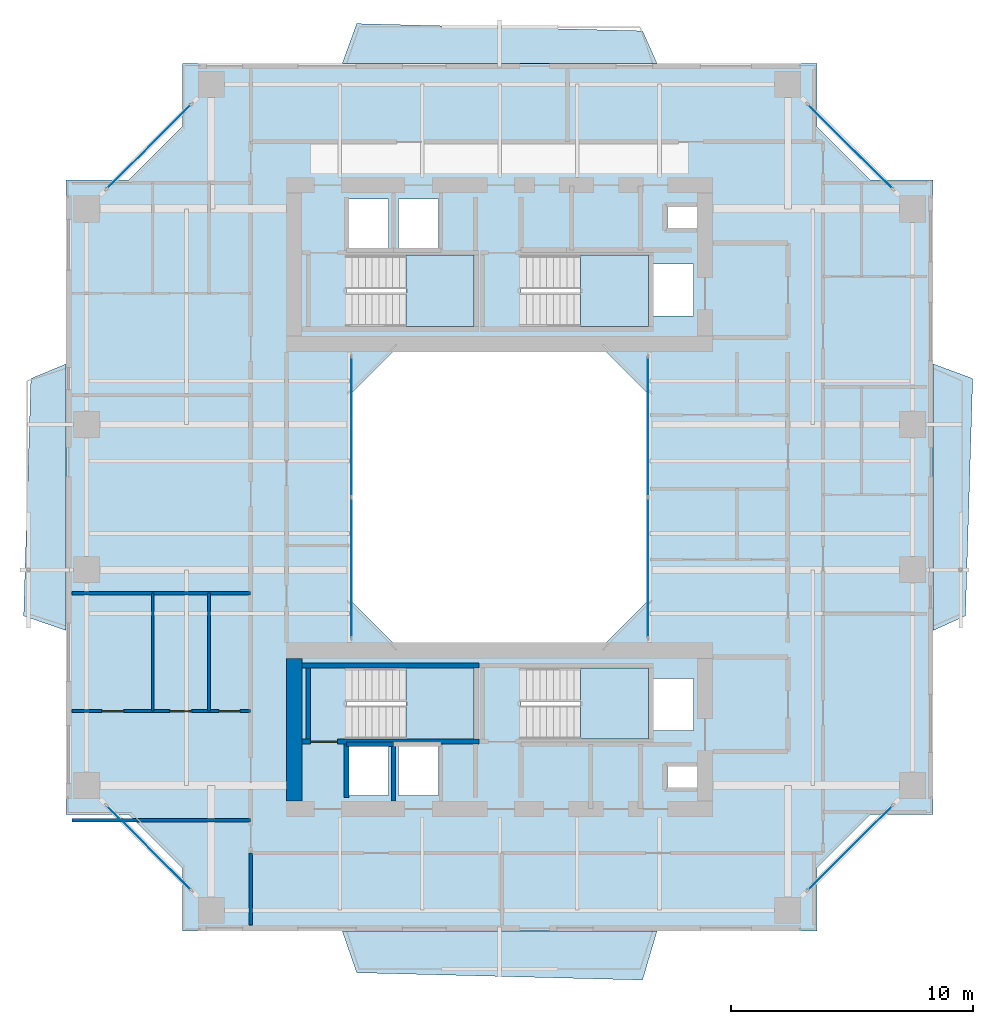
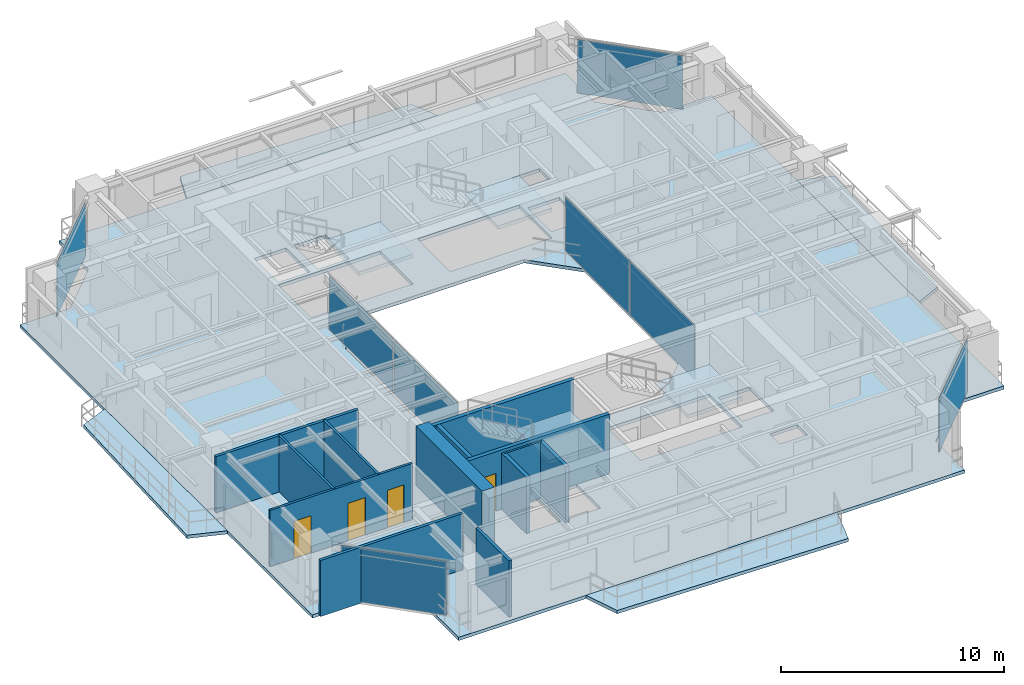
# One storey, part 9 of 17: 13 walls, 9 slabs, 8 plates, 4 doors, 4 openings, 10 elements without a shape of their own.
"""IFC4 building model written with IfcOpenShell, lengths in metres."""

from ifc_helpers import new_model, si_unit, direction, frame, frame_2d, origin, origin_2d, place, context, subcontext, project, spatial, polyline, rectangle, outline, extrude, source, transform, mapped, material, layer, layer_set, type_object, element, fill, aggregate, save


model = new_model("IFC4")

# Units and contexts
model_context = context("Model", 3, precision=1e-05, world=origin(), true_north=direction((0.0, 1.0)))
body_context = subcontext(model_context, "Body", "Model", "MODEL_VIEW")
ifc_project = project(units=[si_unit("LENGTHUNIT", "METRE"), si_unit("AREAUNIT", "SQUARE_METRE"), si_unit("VOLUMEUNIT", "CUBIC_METRE"), si_unit("PLANEANGLEUNIT", "RADIAN"), si_unit("MASSUNIT", "GRAM", prefix="KILO"), si_unit("THERMODYNAMICTEMPERATUREUNIT", "KELVIN"), si_unit("POWERUNIT", "WATT")], contexts=[model_context])

# Site, building, storey
site_placement = place(None, origin())
site = spatial("IfcSite", under=ifc_project, at=site_placement, CompositionType="ELEMENT")
building_placement = place(site_placement, origin())
building = spatial("IfcBuilding", under=site, at=building_placement, Name="Qiaomeng Ring Towers", CompositionType="ELEMENT")
storey_placement = place(building_placement, frame((0.0, 0.0, 129.5)))
storey = spatial("IfcBuildingStorey", under=building, at=storey_placement, Name="L37", CompositionType="ELEMENT", Elevation=129.5)

# Slabs
ifc_material_1 = material(Name="Concrete C40", Category="concrete")
ifc_layer_1 = layer(ifc_material_1, 0.179931640625, Name="Concrete C40")
ifc_layer_set_1 = layer_set([ifc_layer_1], Name="Concrete C40")
slab_type_1 = type_object("IfcSlabType", Name="STR-SL-180", PredefinedType="FLOOR", material=ifc_layer_set_1)
slab_1_placement = place(storey_placement, frame((0.0, 0.0, -0.179931640625)))
element("IfcSlab", 1, at=slab_1_placement, inside=storey, type_object=slab_type_1, Name="L37 Tower 1 Annular Floor Slab", PredefinedType="FLOOR", context=body_context, shape_type="SweptSolid", body=[
    extrude(outline(polyline([(5.89990234375, 5.10009765625), (32.10009765625, 5.10009765625), (32.10009765625, 7.699951171875), (34.300048828125, 9.89990234375), (36.89990234375, 9.89990234375), (36.89990234375, 36.10009765625), (34.300048828125, 36.10009765625), (32.10009765625, 38.300048828125), (32.10009765625, 40.89990234375), (5.89990234375, 40.89990234375), (5.89990234375, 38.300048828125), (3.699951171875, 36.10009765625), (1.10009765625, 36.10009765625), (1.10009765625, 9.89990234375), (3.699951171875, 9.89990234375), (5.89990234375, 7.699951171875), (5.89990234375, 5.10009765625)]), holes=[polyline([(12.780029296875, 10.679931640625), (12.780029296875, 12.820068359375), (14.419921875, 12.820068359375), (14.419921875, 10.679931640625), (12.780029296875, 10.679931640625)]), polyline([(14.830078125, 12.820068359375), (16.469970703125, 12.820068359375), (16.469970703125, 10.679931640625), (14.830078125, 10.679931640625), (14.830078125, 12.820068359375)]), polyline([(12.679931640625, 15.949951171875), (17.949951171875, 15.949951171875), (17.949951171875, 13.010009765625), (12.679931640625, 13.010009765625), (12.679931640625, 15.949951171875)]), polyline([(23.199951171875, 29.199951171875), (25.199951171875, 27.199951171875), (25.199951171875, 18.800048828125), (23.199951171875, 16.800048828125), (14.800048828125, 16.800048828125), (12.800048828125, 18.800048828125), (12.800048828125, 27.199951171875), (14.800048828125, 29.199951171875), (23.199951171875, 29.199951171875)]), polyline([(12.679931640625, 32.989990234375), (17.949951171875, 32.989990234375), (17.949951171875, 30.050048828125), (12.679931640625, 30.050048828125), (12.679931640625, 32.989990234375)]), polyline([(12.780029296875, 35.320068359375), (14.419921875, 35.320068359375), (14.419921875, 33.179931640625), (12.780029296875, 33.179931640625), (12.780029296875, 35.320068359375)]), polyline([(14.830078125, 33.179931640625), (14.830078125, 35.320068359375), (16.469970703125, 35.320068359375), (16.469970703125, 33.179931640625), (14.830078125, 33.179931640625)]), polyline([(25.919921875, 11.89990234375), (27.360107421875, 11.89990234375), (27.360107421875, 11.0), (25.919921875, 11.0), (25.919921875, 11.89990234375)]), polyline([(25.360107421875, 15.52001953125), (27.0, 15.52001953125), (27.0, 13.3798828125), (25.360107421875, 13.3798828125), (25.360107421875, 15.52001953125)]), polyline([(19.8798828125, 15.949951171875), (25.14990234375, 15.949951171875), (25.14990234375, 13.010009765625), (19.8798828125, 13.010009765625), (19.8798828125, 15.949951171875)]), polyline([(19.8798828125, 32.989990234375), (25.14990234375, 32.989990234375), (25.14990234375, 30.050048828125), (19.8798828125, 30.050048828125), (19.8798828125, 32.989990234375)]), polyline([(25.360107421875, 32.6201171875), (27.0, 32.6201171875), (27.0, 30.47998046875), (25.360107421875, 30.47998046875), (25.360107421875, 32.6201171875)]), polyline([(25.919921875, 35.0), (27.360107421875, 35.0), (27.360107421875, 34.10009765625), (25.919921875, 34.10009765625), (25.919921875, 35.0)])]), origin(), (0.0, 0.0, 1.0), 0.179931640625),
])
ifc_layer_2 = layer(ifc_material_1, 0.179931640625, Name="Concrete C40")
ifc_layer_set_2 = layer_set([ifc_layer_2], Name="Concrete C40")
slab_type_2 = type_object("IfcSlabType", Name="STR-SL-BAL", PredefinedType="FLOOR", material=ifc_layer_set_2)
slab_2_placement = place(storey_placement, frame((0.0, 0.0, -0.179931640625)))
element("IfcSlab", 2, at=slab_2_placement, inside=storey, type_object=slab_type_2, Name="L37 Tower 1 S Faceted Balcony Slab", PredefinedType="FLOOR", context=body_context, shape_type="SweptSolid", body=[
    extrude(outline(polyline([(24.89990234375, 3.070068359375), (13.10009765625, 3.3701171875), (12.5, 5.10009765625), (25.5, 5.10009765625), (24.89990234375, 3.070068359375)])), origin(), (0.0, 0.0, 1.0), 0.179931640625),
])
slab_3_placement = place(storey_placement, frame((0.0, 0.0, -0.179931640625)))
element("IfcSlab", 3, at=slab_3_placement, inside=storey, type_object=slab_type_2, Name="L37 Tower 1 E Faceted Balcony Slab", PredefinedType="FLOOR", context=body_context, shape_type="SweptSolid", body=[
    extrude(outline(polyline([(38.530029296875, 27.89990234375), (38.22998046875, 18.10009765625), (36.89990234375, 17.5), (36.89990234375, 28.5), (38.530029296875, 27.89990234375)])), origin(), (0.0, 0.0, 1.0), 0.179931640625),
])
slab_4_placement = place(storey_placement, frame((0.0, 0.0, -0.179931640625)))
element("IfcSlab", 4, at=slab_4_placement, inside=storey, type_object=slab_type_2, Name="L37 Tower 1 N Faceted Balcony Slab", PredefinedType="FLOOR", context=body_context, shape_type="SweptSolid", body=[
    extrude(outline(polyline([(12.5, 40.89990234375), (13.10009765625, 42.550048828125), (24.89990234375, 42.25), (25.5, 40.89990234375), (12.5, 40.89990234375)])), origin(), (0.0, 0.0, 1.0), 0.179931640625),
])
slab_5_placement = place(storey_placement, frame((0.0, 0.0, -0.179931640625)))
element("IfcSlab", 5, at=slab_5_placement, inside=storey, type_object=slab_type_2, Name="L37 Tower 1 W Faceted Balcony Slab", PredefinedType="FLOOR", context=body_context, shape_type="SweptSolid", body=[
    extrude(outline(polyline([(-0.64990234375, 18.10009765625), (-0.35009765625, 27.89990234375), (1.10009765625, 28.5), (1.10009765625, 17.5), (-0.64990234375, 18.10009765625)])), origin(), (0.0, 0.0, 1.0), 0.179931640625),
])

# Stair, slab
ifc_material_2 = material(Name="Precast concrete C40", Category="concrete")
stair_type = type_object("IfcStairType", Name="ARC-ST-325", PredefinedType="HALF_TURN_STAIR", material=ifc_material_2)
stair_1_placement = place(storey_placement, origin())
stair_1 = element("IfcStair", 6, at=stair_1_placement, inside=storey, type_object=stair_type, Name="L37 Tower 1 North Stair 1", PredefinedType="HALF_TURN_STAIR")
ifc_layer_3 = layer(ifc_material_1, 0.199951171875, Name="Concrete C40")
ifc_layer_set_3 = layer_set([ifc_layer_3], Name="Concrete C40")
slab_type_3 = type_object("IfcSlabType", Name="STR-SL-LANDING", PredefinedType="LANDING", material=ifc_layer_set_3)
slab_6_placement = place(storey_placement, frame((0.0, 0.0, 1.425048828125)))
slab_6 = element("IfcSlab", 7, at=slab_6_placement, type_object=slab_type_3, Name="ST1 landing 1", PredefinedType="LANDING", context=body_context, shape_type="SweptSolid", body=[
    extrude(outline(polyline([(15.139892578125, 30.050048828125), (17.949951171875, 30.050048828125), (17.949951171875, 32.989990234375), (15.139892578125, 32.989990234375), (15.139892578125, 30.050048828125)])), origin(), (0.0, 0.0, 1.0), 0.199951171875),
])
aggregate(stair_1, [slab_6])

stair_2_placement = place(storey_placement, origin())
stair_2 = element("IfcStair", 8, at=stair_2_placement, inside=storey, type_object=stair_type, Name="L37 Tower 1 North Stair 2", PredefinedType="HALF_TURN_STAIR")
slab_7_placement = place(storey_placement, frame((0.0, 0.0, 1.425048828125)))
slab_7 = element("IfcSlab", 9, at=slab_7_placement, type_object=slab_type_3, Name="ST2 landing 1", PredefinedType="LANDING", context=body_context, shape_type="SweptSolid", body=[
    extrude(outline(polyline([(22.340087890625, 30.050048828125), (25.14990234375, 30.050048828125), (25.14990234375, 32.989990234375), (22.340087890625, 32.989990234375), (22.340087890625, 30.050048828125)])), origin(), (0.0, 0.0, 1.0), 0.199951171875),
])
aggregate(stair_2, [slab_7])

stair_3_placement = place(storey_placement, origin())
stair_3 = element("IfcStair", 10, at=stair_3_placement, inside=storey, type_object=stair_type, Name="L37 Tower 1 South Stair 3", PredefinedType="HALF_TURN_STAIR")
slab_8_placement = place(storey_placement, frame((0.0, 0.0, 1.425048828125)))
slab_8 = element("IfcSlab", 11, at=slab_8_placement, type_object=slab_type_3, Name="ST3 landing 1", PredefinedType="LANDING", context=body_context, shape_type="SweptSolid", body=[
    extrude(outline(polyline([(15.139892578125, 13.010009765625), (17.949951171875, 13.010009765625), (17.949951171875, 15.949951171875), (15.139892578125, 15.949951171875), (15.139892578125, 13.010009765625)])), origin(), (0.0, 0.0, 1.0), 0.199951171875),
])
aggregate(stair_3, [slab_8])

stair_4_placement = place(storey_placement, origin())
stair_4 = element("IfcStair", 12, at=stair_4_placement, inside=storey, type_object=stair_type, Name="L37 Tower 1 South Stair 4", PredefinedType="HALF_TURN_STAIR")
slab_9_placement = place(storey_placement, frame((0.0, 0.0, 1.425048828125)))
slab_9 = element("IfcSlab", 13, at=slab_9_placement, type_object=slab_type_3, Name="ST4 landing 1", PredefinedType="LANDING", context=body_context, shape_type="SweptSolid", body=[
    extrude(outline(polyline([(22.340087890625, 13.010009765625), (25.14990234375, 13.010009765625), (25.14990234375, 15.949951171875), (22.340087890625, 15.949951171875), (22.340087890625, 13.010009765625)])), origin(), (0.0, 0.0, 1.0), 0.199951171875),
])
aggregate(stair_4, [slab_9])

# Curtain wall, plates
ifc_material_3 = material(Name="Fluorocarbon dark-grey aluminium", Category="aluminium")
ifc_layer_4 = layer(ifc_material_3, 0.139892578125, Name="Fluorocarbon dark-grey aluminium")
ifc_layer_set_4 = layer_set([ifc_layer_4], Name="Fluorocarbon dark-grey aluminium")
curtain_wall_type_1 = type_object("IfcCurtainWallType", Name="ARC-CW-4", PredefinedType="NOTDEFINED", material=ifc_layer_set_4)
curtain_wall_1_placement = place(storey_placement, origin())
curtain_wall_1 = element("IfcCurtainWall", 14, at=curtain_wall_1_placement, inside=storey, type_object=curtain_wall_type_1, Name="L37 Curtain Wall CW4", PredefinedType="NOTDEFINED")
ifc_material_4 = material(Name="Low-E dark-grey laminated double glazing", Category="glass")
ifc_layer_5 = layer(ifc_material_4, 0.028076171875, Name="Low-E dark-grey laminated double glazing")
ifc_layer_set_5 = layer_set([ifc_layer_5], Name="Low-E dark-grey laminated double glazing")
plate_type = type_object("IfcPlateType", Name="ARC-CWP-DARK", PredefinedType="CURTAIN_PANEL", material=ifc_layer_set_5)
shared_shape_1 = source(origin(), body_context, "Body", "SweptSolid", [
    extrude(rectangle(XDim=5.75244140625, YDim=0.028076171875, at=origin_2d()), origin(), (0.0, 0.0, 1.0), 2.93994140625),
])
plate_1_placement = place(storey_placement, frame((12.8798828125, 20.09130859375, 0.06494140625), z_axis=(0.0, 0.0, 1.0), x_axis=(0.0, 1.0, 0.0)))
plate_1 = element("IfcPlate", 15, at=plate_1_placement, type_object=plate_type, Name="CW4 panel 1.1", PredefinedType="CURTAIN_PANEL", context=body_context, shape_type="MappedRepresentation", body=[
    mapped(shared_shape_1, transform((0.0, 0.0, 0.0), x_axis=(1.0, 0.0, 0.0), y_axis=(0.0, 1.0, 0.0), z_axis=(0.0, 0.0, 1.0), scale=1.0)),
])
plate_2_placement = place(storey_placement, frame((12.8798828125, 25.90869140625, 0.06494140625), z_axis=(0.0, 0.0, 1.0), x_axis=(0.0, 1.0, 0.0)))
plate_2 = element("IfcPlate", 16, at=plate_2_placement, type_object=plate_type, Name="CW4 panel 2.1", PredefinedType="CURTAIN_PANEL", context=body_context, shape_type="MappedRepresentation", body=[
    mapped(shared_shape_1, transform((0.0, 0.0, 0.0), x_axis=(1.0, 0.0, 0.0), y_axis=(0.0, 1.0, 0.0), z_axis=(0.0, 0.0, 1.0), scale=1.0)),
])
aggregate(curtain_wall_1, [plate_1, plate_2])

curtain_wall_2_placement = place(storey_placement, origin())
curtain_wall_2 = element("IfcCurtainWall", 17, at=curtain_wall_2_placement, inside=storey, type_object=curtain_wall_type_1, Name="L37 Curtain Wall CW4", PredefinedType="NOTDEFINED")
plate_3_placement = place(storey_placement, frame((25.1201171875, 20.09130859375, 0.06494140625), z_axis=(0.0, 0.0, 1.0), x_axis=(0.0, 1.0, 0.0)))
plate_3 = element("IfcPlate", 18, at=plate_3_placement, type_object=plate_type, Name="CW4 panel 1.1", PredefinedType="CURTAIN_PANEL", context=body_context, shape_type="MappedRepresentation", body=[
    mapped(shared_shape_1, transform((0.0, 0.0, 0.0), x_axis=(1.0, 0.0, 0.0), y_axis=(0.0, 1.0, 0.0), z_axis=(0.0, 0.0, 1.0), scale=1.0)),
])
plate_4_placement = place(storey_placement, frame((25.1201171875, 25.90869140625, 0.06494140625), z_axis=(0.0, 0.0, 1.0), x_axis=(0.0, 1.0, 0.0)))
plate_4 = element("IfcPlate", 19, at=plate_4_placement, type_object=plate_type, Name="CW4 panel 2.1", PredefinedType="CURTAIN_PANEL", context=body_context, shape_type="MappedRepresentation", body=[
    mapped(shared_shape_1, transform((0.0, 0.0, 0.0), x_axis=(1.0, 0.0, 0.0), y_axis=(0.0, 1.0, 0.0), z_axis=(0.0, 0.0, 1.0), scale=1.0)),
])
aggregate(curtain_wall_2, [plate_3, plate_4])

# Curtain wall, plate
ifc_layer_6 = layer(ifc_material_3, 0.14990234375, Name="Fluorocarbon dark-grey aluminium")
ifc_layer_set_6 = layer_set([ifc_layer_6], Name="Fluorocarbon dark-grey aluminium")
curtain_wall_type_2 = type_object("IfcCurtainWallType", Name="ARC-CW-3", PredefinedType="NOTDEFINED", material=ifc_layer_set_6)
curtain_wall_3_placement = place(storey_placement, origin())
curtain_wall_3 = element("IfcCurtainWall", 20, at=curtain_wall_3_placement, inside=storey, type_object=curtain_wall_type_2, Name="L37 Curtain Wall CW3", PredefinedType="NOTDEFINED")
shared_shape_2 = source(origin(), body_context, "Body", "SweptSolid", [
    extrude(rectangle(XDim=4.90869140625, YDim=0.028076171875, at=origin_2d()), origin(), (0.0, 0.0, 1.0), 2.93994140625),
])
plate_5_placement = place(storey_placement, frame((33.47509765625, 8.52490234375, 0.06494140625), z_axis=(0.0, 0.0, 1.0), x_axis=(0.707106781187, 0.707106781187, 0.0)))
plate_5 = element("IfcPlate", 21, at=plate_5_placement, type_object=plate_type, Name="CW3 panel 1.1", PredefinedType="CURTAIN_PANEL", context=body_context, shape_type="MappedRepresentation", body=[
    mapped(shared_shape_2, transform((0.0, 0.0, 0.0), x_axis=(1.0, 0.0, 0.0), y_axis=(0.0, 1.0, 0.0), z_axis=(0.0, 0.0, 1.0), scale=1.0)),
])
aggregate(curtain_wall_3, [plate_5])

curtain_wall_4_placement = place(storey_placement, origin())
curtain_wall_4 = element("IfcCurtainWall", 22, at=curtain_wall_4_placement, inside=storey, type_object=curtain_wall_type_2, Name="L37 Curtain Wall CW3", PredefinedType="NOTDEFINED")
plate_6_placement = place(storey_placement, frame((33.47509765625, 37.47509765625, 0.06494140625), z_axis=(0.0, 0.0, 1.0), x_axis=(-0.707106781187, 0.707106781187, 0.0)))
plate_6 = element("IfcPlate", 23, at=plate_6_placement, type_object=plate_type, Name="CW3 panel 1.1", PredefinedType="CURTAIN_PANEL", context=body_context, shape_type="MappedRepresentation", body=[
    mapped(shared_shape_2, transform((0.0, 0.0, 0.0), x_axis=(1.0, 0.0, 0.0), y_axis=(0.0, 1.0, 0.0), z_axis=(0.0, 0.0, 1.0), scale=1.0)),
])
aggregate(curtain_wall_4, [plate_6])

curtain_wall_5_placement = place(storey_placement, origin())
curtain_wall_5 = element("IfcCurtainWall", 24, at=curtain_wall_5_placement, inside=storey, type_object=curtain_wall_type_2, Name="L37 Curtain Wall CW3", PredefinedType="NOTDEFINED")
plate_7_placement = place(storey_placement, frame((4.52490234375, 37.47509765625, 0.06494140625), z_axis=(0.0, 0.0, 1.0), x_axis=(-0.707106781187, -0.707106781187, 0.0)))
plate_7 = element("IfcPlate", 25, at=plate_7_placement, type_object=plate_type, Name="CW3 panel 1.1", PredefinedType="CURTAIN_PANEL", context=body_context, shape_type="MappedRepresentation", body=[
    mapped(shared_shape_2, transform((0.0, 0.0, 0.0), x_axis=(1.0, 0.0, 0.0), y_axis=(0.0, 1.0, 0.0), z_axis=(0.0, 0.0, 1.0), scale=1.0)),
])
aggregate(curtain_wall_5, [plate_7])

curtain_wall_6_placement = place(storey_placement, origin())
curtain_wall_6 = element("IfcCurtainWall", 26, at=curtain_wall_6_placement, inside=storey, type_object=curtain_wall_type_2, Name="L37 Curtain Wall CW3", PredefinedType="NOTDEFINED")
plate_8_placement = place(storey_placement, frame((4.52490234375, 8.52490234375, 0.06494140625), z_axis=(0.0, 0.0, 1.0), x_axis=(0.707106781187, -0.707106781187, 0.0)))
plate_8 = element("IfcPlate", 27, at=plate_8_placement, type_object=plate_type, Name="CW3 panel 1.1", PredefinedType="CURTAIN_PANEL", context=body_context, shape_type="MappedRepresentation", body=[
    mapped(shared_shape_2, transform((0.0, 0.0, 0.0), x_axis=(1.0, 0.0, 0.0), y_axis=(0.0, 1.0, 0.0), z_axis=(0.0, 0.0, 1.0), scale=1.0)),
])
aggregate(curtain_wall_6, [plate_8])

# Walls
ifc_material_5 = material(Name="Autoclaved aerated concrete block", Category="concrete")
ifc_layer_7 = layer(ifc_material_5, 0.199951171875, Name="Autoclaved aerated concrete block")
ifc_layer_set_7 = layer_set([ifc_layer_7], Name="Autoclaved aerated concrete block")
wall_type_1 = type_object("IfcWallType", Name="ARC-WL-PW1", PredefinedType="PARTITIONING", material=ifc_layer_set_7)
wall_1_placement = place(storey_placement, frame((12.679931640625, 10.60009765625, 0.0), z_axis=(0.0, 0.0, 1.0), x_axis=(0.0, 1.0, 0.0)))
element("IfcWall", 28, at=wall_1_placement, inside=storey, type_object=wall_type_1, Name="L37 Interior Wall PW1", PredefinedType="PARTITIONING", context=body_context, shape_type="SweptSolid", body=[
    extrude(rectangle(XDim=2.2099609375, YDim=0.199951171875, at=frame_2d((1.10498046875, 0.0))), origin(), (0.0, 0.0, 1.0), 3.070068359375),
])
ifc_material_6 = material(Name="Gypsum fireboard steel-stud partition", Category="steel")
ifc_layer_8 = layer(ifc_material_6, 0.14990234375, Name="Gypsum fireboard steel-stud partition")
ifc_layer_set_8 = layer_set([ifc_layer_8], Name="Gypsum fireboard steel-stud partition")
wall_type_2 = type_object("IfcWallType", Name="ARC-WL-PW3", PredefinedType="PARTITIONING", material=ifc_layer_set_8)
wall_2_placement = place(storey_placement, frame((8.719970703125, 5.35009765625, 0.0), z_axis=(0.0, 0.0, 1.0), x_axis=(0.0, 1.0, 0.0)))
element("IfcWall", 29, at=wall_2_placement, inside=storey, type_object=wall_type_2, Name="L37 Interior Wall PW3", PredefinedType="PARTITIONING", context=body_context, shape_type="SweptSolid", body=[
    extrude(rectangle(XDim=2.9599609375, YDim=0.14990234375, at=frame_2d((1.47998046875, 0.0))), origin(), (0.0, 0.0, 1.0), 3.070068359375),
])
for number, where, z_axis, x_axis, name in (
    (30, (1.35009765625, 9.669921875, 0.0), (0.0, 0.0, 1.0), (1.0, 0.0, 0.0), "L37 Interior Wall PW3"),
    (31, (1.35009765625, 19.0400390625, 0.0), (0.0, 0.0, 1.0), (1.0, 0.0, 0.0), "L37 Interior Wall PW3"),
):
    element("IfcWall", number, at=place(storey_placement, frame(where, z_axis=z_axis, x_axis=x_axis)), inside=storey, type_object=wall_type_2, Name=name, PredefinedType="PARTITIONING", context=body_context, shape_type="SweptSolid", body=[
        extrude(rectangle(XDim=7.369873046875, YDim=0.14990234375, at=frame_2d((3.68505859375, 0.0))), origin(), (0.0, 0.0, 1.0), 3.070068359375),
    ])

# Wall, openings, doors
ifc_material_7 = material(Name="Moisture-resistant gypsum steel-stud partition", Category="steel")
ifc_layer_9 = layer(ifc_material_7, 0.1201171875, Name="Moisture-resistant gypsum steel-stud partition")
ifc_layer_set_9 = layer_set([ifc_layer_9], Name="Moisture-resistant gypsum steel-stud partition")
wall_type_3 = type_object("IfcWallType", Name="ARC-WL-PW4", PredefinedType="PLUMBINGWALL", material=ifc_layer_set_9)
wall_3_placement = place(storey_placement, frame((1.35009765625, 14.169921875, 0.0), z_axis=(0.0, 0.0, 1.0), x_axis=(1.0, 0.0, 0.0)))
wall_3 = element("IfcWall", 32, at=wall_3_placement, inside=storey, type_object=wall_type_3, Name="L37 Interior Wall PW4", PredefinedType="PLUMBINGWALL", context=body_context, shape_type="SweptSolid", body=[
    extrude(rectangle(XDim=7.369873046875, YDim=0.1201171875, at=frame_2d((3.68505859375, 0.0))), origin(), (0.0, 0.0, 1.0), 3.070068359375),
])
opening_1_placement = place(wall_3_placement, frame((1.22509765625, 0.0, 0.0)))
opening_1 = element("IfcOpeningElement", 33, at=opening_1_placement, cuts=wall_3, Name="Opening ID1", PredefinedType="OPENING", context=body_context, shape_type="SweptSolid", body=[
    extrude(rectangle(XDim=0.89990234375, YDim=2.050048828125, at=frame_2d((0.449951171875, 1.02490234375))), frame((0.0, 0.070068359375, 0.0), z_axis=(0.0, -1.0, 0.0), x_axis=(1.0, 0.0, 0.0)), (0.0, 0.0, 1.0), 0.14013671875),
])
opening_2_placement = place(wall_3_placement, frame((4.0400390625, 0.0, 0.0)))
opening_2 = element("IfcOpeningElement", 34, at=opening_2_placement, cuts=wall_3, Name="Opening ID1", PredefinedType="OPENING", context=body_context, shape_type="SweptSolid", body=[
    extrude(rectangle(XDim=0.89990234375, YDim=2.050048828125, at=frame_2d((0.449951171875, 1.02490234375))), frame((0.0, 0.070068359375, 0.0), z_axis=(0.0, -1.0, 0.0), x_axis=(1.0, 0.0, 0.0)), (0.0, 0.0, 1.0), 0.14013671875),
])
opening_3_placement = place(wall_3_placement, frame((6.074951171875, 0.0, 0.0)))
opening_3 = element("IfcOpeningElement", 35, at=opening_3_placement, cuts=wall_3, Name="Opening ID2", PredefinedType="OPENING", context=body_context, shape_type="SweptSolid", body=[
    extrude(rectangle(XDim=0.85009765625, YDim=2.050048828125, at=frame_2d((0.425048828125, 1.02490234375))), frame((0.0, 0.070068359375, 0.0), z_axis=(0.0, -1.0, 0.0), x_axis=(1.0, 0.0, 0.0)), (0.0, 0.0, 1.0), 0.14013671875),
])
ifc_material_8 = material(Name="Moisture-resistant engineered timber", Category="wood")
door_type_1 = type_object("IfcDoorType", Name="ARC-DR-ID2", OperationType="NOTDEFINED", PredefinedType="DOOR", material=ifc_material_8)
shared_shape_3 = source(origin(), body_context, "Body", "SweptSolid", [
    extrude(rectangle(XDim=0.85009765625, YDim=2.050048828125, at=frame_2d((0.425048828125, 1.02490234375))), frame((0.0, 0.02490234375, 0.0), z_axis=(0.0, -1.0, 0.0), x_axis=(1.0, 0.0, 0.0)), (0.0, 0.0, 1.0), 0.050048828125),
])
door_1_placement = place(opening_3_placement, origin())
door_1 = element("IfcDoor", 36, at=door_1_placement, inside=storey, type_object=door_type_1, Name="L37 Door ID2", OperationType="SINGLE_SWING_LEFT", OverallHeight=2.050048828125, OverallWidth=0.85009765625, PredefinedType="DOOR", context=body_context, shape_type="MappedRepresentation", body=[
    mapped(shared_shape_3, transform((0.0, 0.0, 0.0), x_axis=(1.0, 0.0, 0.0), y_axis=(0.0, 1.0, 0.0), z_axis=(0.0, 0.0, 1.0), scale=1.0)),
])
fill(opening_3, door_1)
ifc_material_9 = material(Name="Engineered oak timber", Category="wood")
door_type_2 = type_object("IfcDoorType", Name="ARC-DR-ID1", OperationType="NOTDEFINED", PredefinedType="DOOR", material=ifc_material_9)
shared_shape_4 = source(origin(), body_context, "Body", "SweptSolid", [
    extrude(rectangle(XDim=0.89990234375, YDim=2.050048828125, at=frame_2d((0.449951171875, 1.02490234375))), frame((0.0, 0.02490234375, 0.0), z_axis=(0.0, -1.0, 0.0), x_axis=(1.0, 0.0, 0.0)), (0.0, 0.0, 1.0), 0.050048828125),
])
door_2_placement = place(opening_1_placement, origin())
door_2 = element("IfcDoor", 37, at=door_2_placement, inside=storey, type_object=door_type_2, Name="L37 Door ID1", OperationType="SINGLE_SWING_LEFT", OverallHeight=2.050048828125, OverallWidth=0.89990234375, PredefinedType="DOOR", context=body_context, shape_type="MappedRepresentation", body=[
    mapped(shared_shape_4, transform((0.0, 0.0, 0.0), x_axis=(1.0, 0.0, 0.0), y_axis=(0.0, 1.0, 0.0), z_axis=(0.0, 0.0, 1.0), scale=1.0)),
])
fill(opening_1, door_2)
door_3_placement = place(opening_2_placement, origin())
door_3 = element("IfcDoor", 38, at=door_3_placement, inside=storey, type_object=door_type_2, Name="L37 Door ID1", OperationType="SINGLE_SWING_RIGHT", OverallHeight=2.050048828125, OverallWidth=0.89990234375, PredefinedType="DOOR", context=body_context, shape_type="MappedRepresentation", body=[
    mapped(shared_shape_4, transform((0.0, 0.0, 0.0), x_axis=(1.0, 0.0, 0.0), y_axis=(0.0, 1.0, 0.0), z_axis=(0.0, 0.0, 1.0), scale=1.0)),
])
fill(opening_2, door_3)

# Walls
for number, where, z_axis, x_axis, name in (
    (39, (4.679931640625, 14.169921875, 0.0), (0.0, 0.0, 1.0), (0.0, 1.0, 0.0), "L37 Interior Wall PW4"),
    (40, (7.0, 14.169921875, 0.0), (0.0, 0.0, 1.0), (0.0, 1.0, 0.0), "L37 Interior Wall PW4"),
):
    element("IfcWall", number, at=place(storey_placement, frame(where, z_axis=z_axis, x_axis=x_axis)), inside=storey, type_object=wall_type_3, Name=name, PredefinedType="PLUMBINGWALL", context=body_context, shape_type="SweptSolid", body=[
        extrude(rectangle(XDim=4.8701171875, YDim=0.1201171875, at=frame_2d((2.43505859375, 0.0))), origin(), (0.0, 0.0, 1.0), 3.070068359375),
    ])
ifc_layer_10 = layer(ifc_material_1, 0.199951171875, Name="Concrete C40")
ifc_layer_set_10 = layer_set([ifc_layer_10], Name="Concrete C40")
wall_type_4 = type_object("IfcWallType", Name="STR-WL-STSHAFT", PredefinedType="SHEAR", material=ifc_layer_set_10)
wall_4_placement = place(storey_placement, frame((12.679931640625, 12.800048828125, 0.0), z_axis=(0.0, 0.0, 1.0), x_axis=(1.0, 0.0, 0.0)))
element("IfcWall", 41, at=wall_4_placement, inside=storey, type_object=wall_type_4, Name="L37 Lift LP6 Shaft Back Wall", PredefinedType="SHEAR", context=body_context, shape_type="SweptSolid", body=[
    extrude(rectangle(XDim=1.940185546875, YDim=0.179931640625, at=frame_2d((0.97021484375, 0.0))), origin(), (0.0, 0.0, 1.0), 3.070068359375),
])
wall_5_placement = place(storey_placement, frame((14.6201171875, 10.449951171875, 0.0), z_axis=(0.0, 0.0, 1.0), x_axis=(0.0, 1.0, 0.0)))
element("IfcWall", 42, at=wall_5_placement, inside=storey, type_object=wall_type_4, Name="L37 Lift LP6-LP4 Shaft Divider Wall", PredefinedType="SHEAR", context=body_context, shape_type="SweptSolid", body=[
    extrude(rectangle(XDim=2.35009765625, YDim=0.179931640625, at=frame_2d((1.175048828125, 0.0))), origin(), (0.0, 0.0, 1.0), 3.070068359375),
])

# Wall, opening, door
wall_6_placement = place(storey_placement, frame((10.85009765625, 12.909912109375, 0.0), z_axis=(0.0, 0.0, 1.0), x_axis=(1.0, 0.0, 0.0)))
wall_6 = element("IfcWall", 43, at=wall_6_placement, inside=storey, type_object=wall_type_4, Name="L37 Stair ST3 South Shaft Shear Wall", PredefinedType="SHEAR", context=body_context, shape_type="SweptSolid", body=[
    extrude(rectangle(XDim=7.2998046875, YDim=0.199951171875, at=frame_2d((3.64990234375, 0.0))), origin(), (0.0, 0.0, 1.0), 3.25),
])
opening_4_placement = place(wall_6_placement, frame((0.35009765625, 0.0, 0.0)))
opening_4 = element("IfcOpeningElement", 44, at=opening_4_placement, cuts=wall_6, Name="Opening FD3", PredefinedType="OPENING", context=body_context, shape_type="SweptSolid", body=[
    extrude(rectangle(XDim=1.10009765625, YDim=2.050048828125, at=frame_2d((0.550048828125, 1.02490234375))), frame((0.0, 0.10986328125, 0.0), z_axis=(0.0, -1.0, 0.0), x_axis=(1.0, 0.0, 0.0)), (0.0, 0.0, 1.0), 0.219970703125),
])
ifc_material_10 = material(Name="Galvanised steel", Category="steel")
door_type_3 = type_object("IfcDoorType", Name="ARC-DR-FD3", OperationType="NOTDEFINED", PredefinedType="DOOR", material=ifc_material_10)
shared_shape_5 = source(origin(), body_context, "Body", "SweptSolid", [
    extrude(rectangle(XDim=1.10009765625, YDim=2.050048828125, at=frame_2d((0.550048828125, 1.02490234375))), frame((0.0, 0.02490234375, 0.0), z_axis=(0.0, -1.0, 0.0), x_axis=(1.0, 0.0, 0.0)), (0.0, 0.0, 1.0), 0.050048828125),
])
door_4_placement = place(opening_4_placement, frame((1.10009765625, 0.0, 0.0), z_axis=(0.0, 0.0, 1.0), x_axis=(-1.0, 0.0, 0.0)))
door_4 = element("IfcDoor", 45, at=door_4_placement, inside=storey, type_object=door_type_3, Name="L37 Stair ST3 Exit Door", OperationType="SINGLE_SWING_RIGHT", OverallHeight=2.050048828125, OverallWidth=1.10009765625, PredefinedType="DOOR", context=body_context, shape_type="MappedRepresentation", body=[
    mapped(shared_shape_5, transform((0.0, 0.0, 0.0), x_axis=(1.0, 0.0, 0.0), y_axis=(0.0, 1.0, 0.0), z_axis=(0.0, 0.0, 1.0), scale=1.0)),
])
fill(opening_4, door_4)

# Walls
wall_7_placement = place(storey_placement, frame((10.85009765625, 16.050048828125, 0.0), z_axis=(0.0, 0.0, 1.0), x_axis=(1.0, 0.0, 0.0)))
element("IfcWall", 46, at=wall_7_placement, inside=storey, type_object=wall_type_4, Name="L37 Stair ST3 North Shaft Shear Wall", PredefinedType="SHEAR", context=body_context, shape_type="SweptSolid", body=[
    extrude(rectangle(XDim=7.2998046875, YDim=0.199951171875, at=frame_2d((3.64990234375, 0.0))), origin(), (0.0, 0.0, 1.0), 3.25),
])
wall_8_placement = place(storey_placement, frame((11.10009765625, 13.010009765625, 0.0), z_axis=(0.0, 0.0, 1.0), x_axis=(0.0, 1.0, 0.0)))
element("IfcWall", 47, at=wall_8_placement, inside=storey, type_object=wall_type_4, Name="L37 Stair ST3 West Shaft Shear Wall", PredefinedType="SHEAR", context=body_context, shape_type="SweptSolid", body=[
    extrude(rectangle(XDim=2.93994140625, YDim=0.199951171875, at=frame_2d((1.469970703125, 0.0))), origin(), (0.0, 0.0, 1.0), 3.25),
])
ifc_material_11 = material(Name="Concrete C55", Category="concrete")
ifc_layer_11 = layer(ifc_material_11, 0.64990234375, Name="Concrete C55")
ifc_layer_set_11 = layer_set([ifc_layer_11], Name="Concrete C55")
wall_type_5 = type_object("IfcWallType", Name="STR-WL-SW2A", PredefinedType="SHEAR", material=ifc_layer_set_11)
wall_9_placement = place(storey_placement, frame((10.52490234375, 10.449951171875, 0.0), z_axis=(0.0, 0.0, 1.0), x_axis=(0.0, 1.0, 0.0)))
element("IfcWall", 48, at=wall_9_placement, inside=storey, type_object=wall_type_5, Name="L37 T1SC west core shear wall", PredefinedType="SHEAR", context=body_context, shape_type="SweptSolid", body=[
    extrude(rectangle(XDim=5.900146484375, YDim=0.64990234375, at=frame_2d((2.9501953125, 0.0))), origin(), (0.0, 0.0, 1.0), 3.25),
])

save(model, "model.ifc")
